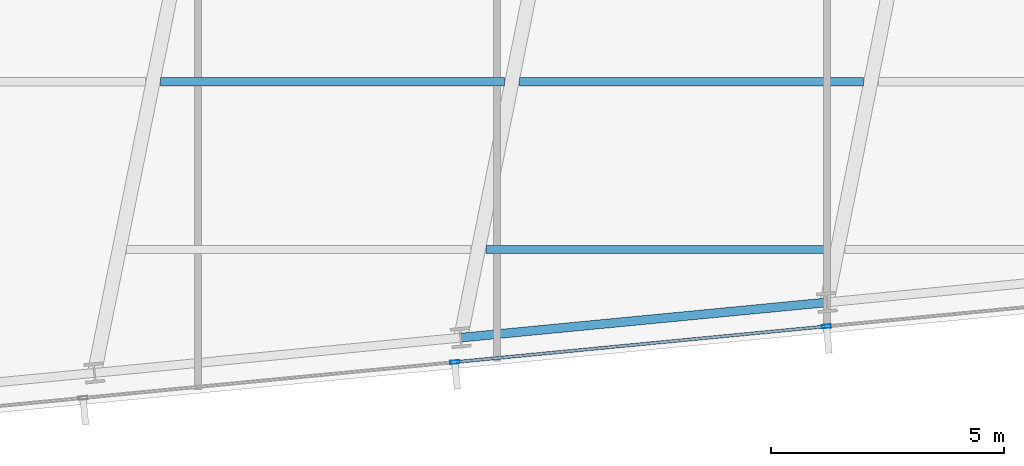
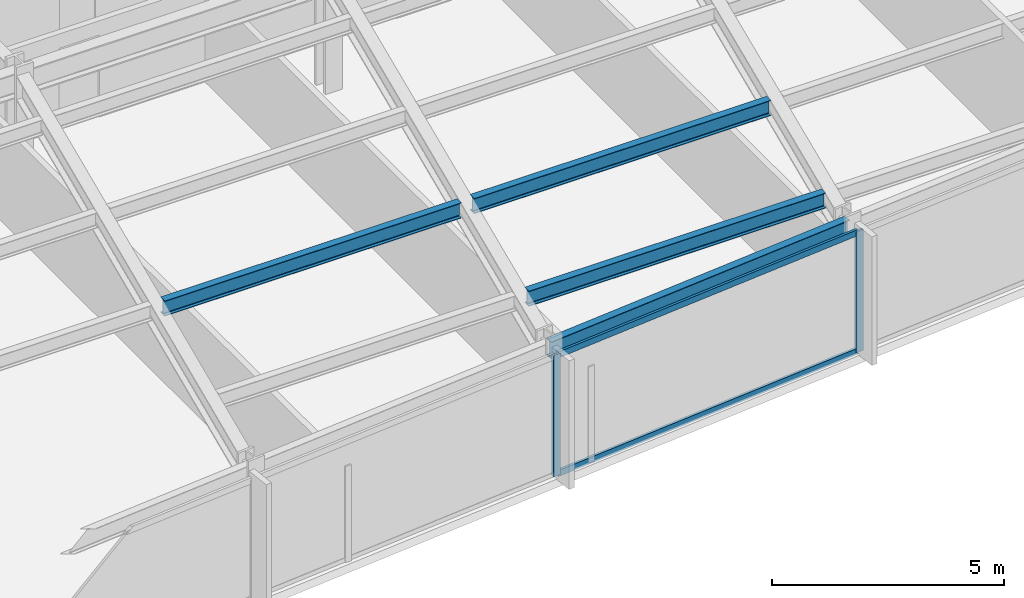
# One storey, part 4 of 33: 4 beams, 4 members, 1 element without a shape of its own.
"""IFC4 building model written with IfcOpenShell, lengths in metres."""

import ifcopenshell
import ifcopenshell.guid

model = None  # the IFC model being written
_history = None  # IfcOwnerHistory: only IFC2X3 demands one
_inside = {}  # id of a spatial element -> (the spatial element, [elements in it])
_under = {}  # id of a project, library or spatial element -> (it, [spatial elements below it])
_declared = {}  # id of a project -> (the project, [libraries it declares])
_typed = {}  # id of a type object -> (the type object, [elements of that type])
_made_of = {}  # id of a material, layer set ... -> (it, [elements and type objects made of it])


def new_model(schema):
    """Start an empty IFC model of exactly this schema.

    Asked for "IFC4X3", IfcOpenShell would pick the latest addendum, in which some entities
    have other attributes; the version numbers below select the first issue.
    IFC2X3 requires an IfcOwnerHistory on every rooted entity: one is made here for all.
    """
    global model, _history
    if schema == "IFC4X3":
        model = ifcopenshell.file(schema_version=(4, 3, 0, 0))
    else:
        model = ifcopenshell.file(schema=schema)
    _inside.clear()
    _under.clear()
    _declared.clear()
    _typed.clear()
    _made_of.clear()
    _history = None
    if model.schema == "IFC2X3":
        org = make("IfcOrganization", Name="unknown")
        user = make(
            "IfcPersonAndOrganization",
            ThePerson=make("IfcPerson", FamilyName="unknown"),
            TheOrganization=org,
        )
        app = make(
            "IfcApplication",
            ApplicationDeveloper=org,
            Version="unknown",
            ApplicationFullName="unknown",
            ApplicationIdentifier="unknown",
        )
        _history = make(
            "IfcOwnerHistory",
            OwningUser=user,
            OwningApplication=app,
            ChangeAction="ADDED",
            CreationDate=0,
        )
    return model


def make(cls, **values):
    """One entity of the class cls with the attributes given. An attribute that is None is left unset."""
    return model.create_entity(
        cls, **{name: value for name, value in values.items() if value is not None}
    )


def rooted(cls, **values):
    """An entity with a GlobalId (a new one), such as an element, a storey or a relation."""
    return make(cls, GlobalId=ifcopenshell.guid.new(), OwnerHistory=_history, **values)


def si_unit(unit_type, name, prefix=None):
    """IfcSIUnit, for example si_unit("LENGTHUNIT", "METRE", prefix="MILLI")."""
    return make("IfcSIUnit", UnitType=unit_type, Prefix=prefix, Name=name)


def assignment(units):
    """IfcUnitAssignment: the units of a project."""
    return None if units is None else make("IfcUnitAssignment", Units=units)


def point(xyz):
    """IfcCartesianPoint."""
    return None if xyz is None else make("IfcCartesianPoint", Coordinates=xyz)


def direction(xyz):
    """IfcDirection."""
    return None if xyz is None else make("IfcDirection", DirectionRatios=xyz)


def frame(location, z_axis=None, x_axis=None):
    """IfcAxis2Placement3D, a coordinate frame: its origin and axes. An axis left out is left unset."""
    return make(
        "IfcAxis2Placement3D",
        Location=point(location),
        Axis=direction(z_axis),
        RefDirection=direction(x_axis),
    )


def frame_2d(location, x_axis=None):
    """IfcAxis2Placement2D, a coordinate frame in the plane: its origin and x axis."""
    return make(
        "IfcAxis2Placement2D", Location=point(location), RefDirection=direction(x_axis)
    )


def origin():
    """The frame at (0, 0, 0) with its axes left unset."""
    return frame((0.0, 0.0, 0.0))


def origin_2d():
    """The frame at (0, 0) in the plane with its x axis left unset."""
    return frame_2d((0.0, 0.0))


def place(relative_to, where):
    """IfcLocalPlacement: puts the frame where relative to a parent placement (None: the world)."""
    return make(
        "IfcLocalPlacement", PlacementRelTo=relative_to, RelativePlacement=where
    )


def context(
    kind, dimensions, precision=None, world=None, true_north=None, identifier=None
):
    """IfcGeometricRepresentationContext, for example the 3D "Model" context."""
    return make(
        "IfcGeometricRepresentationContext",
        ContextIdentifier=identifier,
        ContextType=kind,
        CoordinateSpaceDimension=dimensions,
        Precision=precision,
        WorldCoordinateSystem=world,
        TrueNorth=true_north,
    )


def subcontext(parent, identifier, kind, view, scale=None):
    """IfcGeometricRepresentationSubContext, for example "Body" below "Model"."""
    return make(
        "IfcGeometricRepresentationSubContext",
        ContextIdentifier=identifier,
        ContextType=kind,
        ParentContext=parent,
        TargetScale=scale,
        TargetView=view,
    )


def project(units=None, contexts=None):
    """IfcProject with its units and contexts."""
    return rooted(
        "IfcProject",
        Name="project",
        RepresentationContexts=contexts,
        UnitsInContext=assignment(units),
    )


def spatial(cls, under=None, at=None, **own):
    """A site, building, storey or space (cls), placed at a placement, below another one or the project."""
    s = rooted(cls, ObjectPlacement=at, **own)
    if under is not None:
        _under.setdefault(under.id(), (under, []))[1].append(s)
    return s


def profile(cls, at=None, kind="AREA", **sizes):
    """A parametric profile (cls). Its sizes go by their IFC names, for example OverallWidth=200.0."""
    return make(cls, ProfileType=kind, Position=at, **sizes)


def hollow_rectangle(**sizes):
    """IfcRectangleHollowProfileDef."""
    return profile("IfcRectangleHollowProfileDef", **sizes)


def i_section(**sizes):
    """IfcIShapeProfileDef."""
    return profile("IfcIShapeProfileDef", **sizes)


def extrude(swept, where, along, depth):
    """IfcExtrudedAreaSolid: the profile swept, set in the frame where, extruded along a direction by depth."""
    return make(
        "IfcExtrudedAreaSolid",
        SweptArea=swept,
        Position=where,
        ExtrudedDirection=direction(along),
        Depth=depth,
    )


def shape(context_of_items, identifier, shape_type, items):
    """IfcShapeRepresentation: the items that make up one representation, for example the "Body"."""
    return make(
        "IfcShapeRepresentation",
        ContextOfItems=context_of_items,
        RepresentationIdentifier=identifier,
        RepresentationType=shape_type,
        Items=items,
    )


def material(Name=None, Category=None):
    """IfcMaterial."""
    return make("IfcMaterial", Name=Name, Category=Category)


def material_profile(
    of_material, cross_section, Name=None, Category=None, Priority=None
):
    """IfcMaterialProfile: a cross section and its material."""
    return make(
        "IfcMaterialProfile",
        Name=Name,
        Material=of_material,
        Profile=cross_section,
        Priority=Priority,
        Category=Category,
    )


def profile_set(profiles, Name=None, composite=None):
    """IfcMaterialProfileSet."""
    return make(
        "IfcMaterialProfileSet",
        Name=Name,
        MaterialProfiles=profiles,
        CompositeProfile=composite,
    )


def made_of(thing, what):
    """Note that an element or type object is made of a material, layer set ...; save() writes the relation."""
    if what is not None:
        _made_of.setdefault(what.id(), (what, []))[1].append(thing)
    return thing


def type_object(cls, material=None, **own):
    """A type object (cls), such as IfcWallType, which elements share."""
    return made_of(rooted(cls, **own), material)


def element(
    cls,
    number,
    at=None,
    inside=None,
    cuts=None,
    type_object=None,
    material=None,
    context=None,
    identifier="Body",
    shape_type=None,
    held_by="IfcProductDefinitionShape",
    body=None,
    shapes=None,
    **own,
):
    """One element of the class cls, such as IfcWall. Its Tag is "e" and its number.

    at: its placement. inside: the storey or other place that contains it. cuts: it is an
    opening in that element (IfcRelVoidsElement). A single representation is given by context,
    identifier, shape_type and body (its items); several are given by shapes. held_by: the class
    of the entity that holds the representations. save() writes the other relations.
    """
    e = rooted(cls, Tag="e%d" % number, ObjectPlacement=at, **own)
    if body is not None:
        shapes = [shape(context, identifier, shape_type, body)]
    if shapes is not None:
        e.Representation = make(held_by, Representations=shapes)
    if inside is not None:
        _inside.setdefault(inside.id(), (inside, []))[1].append(e)
    if cuts is not None:
        rooted(
            "IfcRelVoidsElement", RelatingBuildingElement=cuts, RelatedOpeningElement=e
        )
    if type_object is not None:
        _typed.setdefault(type_object.id(), (type_object, []))[1].append(e)
    return made_of(e, material)


def aggregate(whole, parts):
    """IfcRelAggregates: a whole, such as a stair, and the parts it consists of."""
    return rooted("IfcRelAggregates", RelatingObject=whole, RelatedObjects=parts)


def save(model, path):
    """Write the relations noted so far, then the file.

    IfcRelAggregates (storeys below a building ...), IfcRelContainedInSpatialStructure (elements
    in a storey), IfcRelDefinesByType, IfcRelAssociatesMaterial and IfcRelDeclares: one each for
    every whole, place, type object, material and project.
    """
    for whole, parts in _under.values():
        aggregate(whole, parts)
    for where, things in _inside.values():
        rooted(
            "IfcRelContainedInSpatialStructure",
            RelatedElements=things,
            RelatingStructure=where,
        )
    for kind, things in _typed.values():
        rooted("IfcRelDefinesByType", RelatedObjects=things, RelatingType=kind)
    for what, things in _made_of.values():
        rooted("IfcRelAssociatesMaterial", RelatedObjects=things, RelatingMaterial=what)
    for by, libraries in _declared.values():
        rooted("IfcRelDeclares", RelatingContext=by, RelatedDefinitions=libraries)
    model.write(path)


model = new_model("IFC4")

# Units and contexts
model_context = context("Model", 3, precision=1e-05, world=origin(), true_north=direction((0.0, 1.0)))
body_context = subcontext(model_context, "Body", "Model", "MODEL_VIEW")
ifc_project = project(units=[si_unit("LENGTHUNIT", "METRE"), si_unit("AREAUNIT", "SQUARE_METRE"), si_unit("VOLUMEUNIT", "CUBIC_METRE"), si_unit("PLANEANGLEUNIT", "RADIAN"), si_unit("MASSUNIT", "GRAM", prefix="KILO")], contexts=[model_context])

# Site, building, storey
site_placement = place(None, origin())
site = spatial("IfcSite", under=ifc_project, at=site_placement, CompositionType="ELEMENT")
building_placement = place(site_placement, origin())
building = spatial("IfcBuilding", under=site, at=building_placement, Name="Yelkora Congress Tower", CompositionType="ELEMENT")
storey_placement = place(building_placement, frame((0.0, 0.0, 106.699951171875)))
storey = spatial("IfcBuildingStorey", under=building, at=storey_placement, Name="L28", CompositionType="ELEMENT", Elevation=106.699951171875)

# Beams
ifc_material_1 = material(Name="Steel S355J2", Category="steel")
ifc_material_profile_1 = material_profile(ifc_material_1, i_section(OverallWidth=0.179931640625, OverallDepth=0.39990234375, WebThickness=0.008544921875, FlangeThickness=0.013427734375, FilletRadius=0.02099609375, at=origin_2d()), Name="IPE 400")
ifc_profile_set_1 = profile_set([ifc_material_profile_1], Name="Steel S355J2")
beam_type_1 = type_object("IfcBeamType", Name="BM-JOIST-IPE400", PredefinedType="JOIST", material=ifc_profile_set_1)
beam_1_placement = place(storey_placement, frame((36.023193359375, 12.54443359375, 2.97998046875), z_axis=(1.0, 0.0, 0.0), x_axis=(0.0, 1.0, 0.0)))
element("IfcBeam", 1, at=beam_1_placement, inside=storey, type_object=beam_type_1, Name="L28 Composite Floor Joist 2", PredefinedType="JOIST", context=body_context, shape_type="SweptSolid", body=[
    extrude(i_section(OverallWidth=0.179931640625, OverallDepth=0.39990234375, WebThickness=0.008544921875, FlangeThickness=0.013427734375, FilletRadius=0.02099609375, at=origin_2d()), origin(), (0.0, 0.0, 1.0), 7.37646484375),
])
beam_2_placement = place(storey_placement, frame((29.05419921875, 16.144287109375, 2.97998046875), z_axis=(1.0, 0.0, 0.0), x_axis=(0.0, 1.0, 0.0)))
element("IfcBeam", 2, at=beam_2_placement, inside=storey, type_object=beam_type_1, Name="L28 Composite Floor Joist 5", PredefinedType="JOIST", context=body_context, shape_type="SweptSolid", body=[
    extrude(i_section(OverallWidth=0.179931640625, OverallDepth=0.39990234375, WebThickness=0.008544921875, FlangeThickness=0.013427734375, FilletRadius=0.02099609375, at=origin_2d()), origin(), (0.0, 0.0, 1.0), 7.37060546875),
])
beam_3_placement = place(storey_placement, frame((36.744873046875, 16.144287109375, 2.97998046875), z_axis=(1.0, 0.0, 0.0), x_axis=(0.0, 1.0, 0.0)))
element("IfcBeam", 3, at=beam_3_placement, inside=storey, type_object=beam_type_1, Name="L28 Composite Floor Joist 6", PredefinedType="JOIST", context=body_context, shape_type="SweptSolid", body=[
    extrude(i_section(OverallWidth=0.179931640625, OverallDepth=0.39990234375, WebThickness=0.008544921875, FlangeThickness=0.013427734375, FilletRadius=0.02099609375, at=origin_2d()), origin(), (0.0, 0.0, 1.0), 7.371826171875),
])
ifc_material_profile_2 = material_profile(ifc_material_1, i_section(OverallWidth=0.18994140625, OverallDepth=0.449951171875, WebThickness=0.009521484375, FlangeThickness=0.0146484375, FilletRadius=0.02099609375, at=origin_2d()), Name="IPE 450")
ifc_profile_set_2 = profile_set([ifc_material_profile_2], Name="Steel S355J2")
beam_type_2 = type_object("IfcBeamType", Name="BM-SPAN-IPE450", PredefinedType="SPANDREL", material=ifc_profile_set_2)
beam_4_placement = place(storey_placement, frame((35.48486328125, 10.656005859375, 2.955078125), z_axis=(0.995395575667, 0.095852219286, 0.0), x_axis=(-0.095852219286, 0.995395575667, 0.0)))
element("IfcBeam", 4, at=beam_4_placement, inside=storey, type_object=beam_type_2, Name="L28 Perimeter Beam 5", PredefinedType="SPANDREL", context=body_context, shape_type="SweptSolid", body=[
    extrude(i_section(OverallWidth=0.18994140625, OverallDepth=0.449951171875, WebThickness=0.009521484375, FlangeThickness=0.0146484375, FilletRadius=0.02099609375, at=origin_2d()), origin(), (0.0, 0.0, 1.0), 7.8857421875),
])

# Curtain wall, members
ifc_material_2 = material(Name="Anodised aluminium and insulated glass", Category="aluminium")
curtain_wall_type = type_object("IfcCurtainWallType", Name="CW-SYS-B2", PredefinedType="NOTDEFINED", material=ifc_material_2)
curtain_wall_placement = place(storey_placement, origin())
curtain_wall = element("IfcCurtainWall", 5, at=curtain_wall_placement, inside=storey, type_object=curtain_wall_type, Name="L28 Unitised Curtain Wall 20", PredefinedType="NOTDEFINED")
ifc_material_3 = material(Name="Anodised aluminium 6063-T6", Category="aluminium")
ifc_material_profile_3 = material_profile(ifc_material_3, hollow_rectangle(XDim=0.070068359375, YDim=0.18994140625, WallThickness=0.00390625, at=origin_2d()), Name="ALU 70x190x4")
ifc_profile_set_3 = profile_set([ifc_material_profile_3], Name="Anodised aluminium 6063-T6")
member_type_1 = type_object("IfcMemberType", Name="MEM-ML-B2", PredefinedType="MULLION", material=ifc_profile_set_3)
member_1_placement = place(storey_placement, frame((43.32470703125, 10.898681640625, 0.0), z_axis=(0.0, 0.0, 1.0), x_axis=(0.095844345816, -0.995396333816, 0.0)))
member_1 = element("IfcMember", 6, at=member_1_placement, type_object=member_type_1, Name="CW-B2 mullion 5", PredefinedType="MULLION", context=body_context, shape_type="SweptSolid", body=[
    extrude(hollow_rectangle(XDim=0.070068359375, YDim=0.18994140625, WallThickness=0.00390625, at=origin_2d()), origin(), (0.0, 0.0, 1.0), 3.179931640625),
])
member_2_placement = place(storey_placement, frame((35.358642578125, 10.131591796875, 0.0), z_axis=(0.0, 0.0, 1.0), x_axis=(0.095844345816, -0.995396333816, 0.0)))
member_2 = element("IfcMember", 7, at=member_2_placement, type_object=member_type_1, Name="CW-B2 mullion 6", PredefinedType="MULLION", context=body_context, shape_type="SweptSolid", body=[
    extrude(hollow_rectangle(XDim=0.070068359375, YDim=0.18994140625, WallThickness=0.00390625, at=origin_2d()), origin(), (0.0, 0.0, 1.0), 3.179931640625),
])
ifc_material_profile_4 = material_profile(ifc_material_3, hollow_rectangle(XDim=0.06494140625, YDim=0.159912109375, WallThickness=0.00390625, at=origin_2d()), Name="ALU 65x160x4")
ifc_profile_set_4 = profile_set([ifc_material_profile_4], Name="Anodised aluminium 6063-T6")
member_type_2 = type_object("IfcMemberType", Name="MEM-TR-B2", PredefinedType="USERDEFINED", material=ifc_profile_set_4)
member_3_placement = place(storey_placement, frame((43.289794921875, 10.895263671875, 0.032470703125), z_axis=(-0.995397010735, -0.095837315383, 0.0), x_axis=(0.095837315383, -0.995397010735, 0.0)))
member_3 = element("IfcMember", 8, at=member_3_placement, type_object=member_type_2, Name="CW-B2 transom 5.1", ObjectType="TRANSOM", PredefinedType="USERDEFINED", context=body_context, shape_type="SweptSolid", body=[
    extrude(hollow_rectangle(XDim=0.06494140625, YDim=0.159912109375, WallThickness=0.00390625, at=origin_2d()), origin(), (0.0, 0.0, 1.0), 7.932861328125),
])
member_4_placement = place(storey_placement, frame((43.289794921875, 10.895263671875, 3.1474609375), z_axis=(-0.995397010735, -0.095837315383, 0.0), x_axis=(0.095837315383, -0.995397010735, 0.0)))
member_4 = element("IfcMember", 9, at=member_4_placement, type_object=member_type_2, Name="CW-B2 transom 5.2", ObjectType="TRANSOM", PredefinedType="USERDEFINED", context=body_context, shape_type="SweptSolid", body=[
    extrude(hollow_rectangle(XDim=0.06494140625, YDim=0.159912109375, WallThickness=0.00390625, at=origin_2d()), origin(), (0.0, 0.0, 1.0), 7.932861328125),
])
aggregate(curtain_wall, [member_1, member_2, member_3, member_4])

save(model, "model.ifc")
